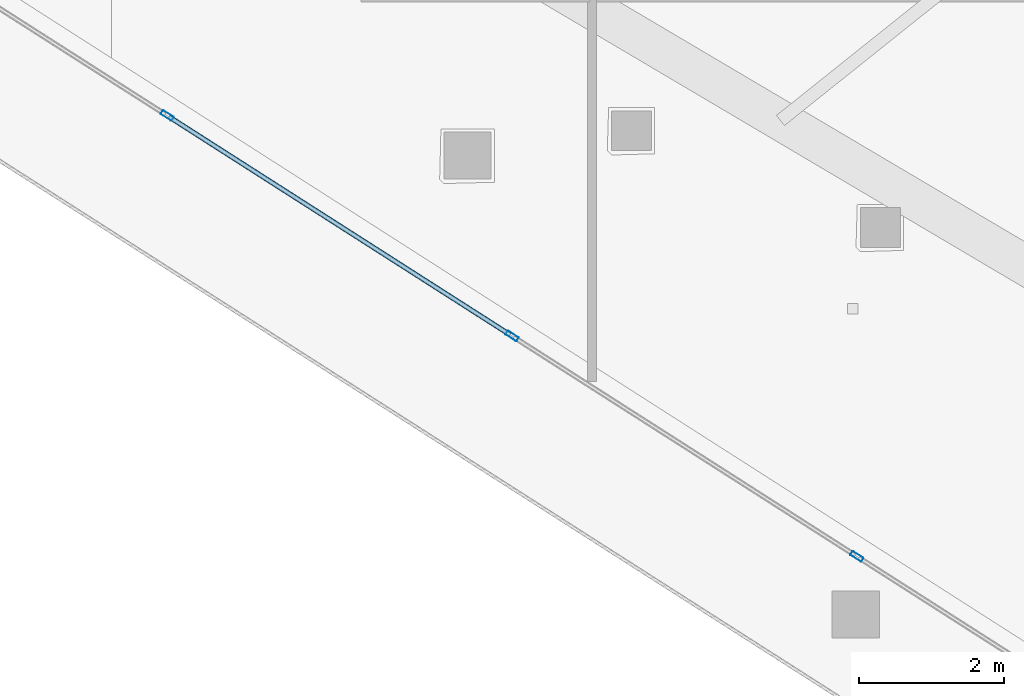
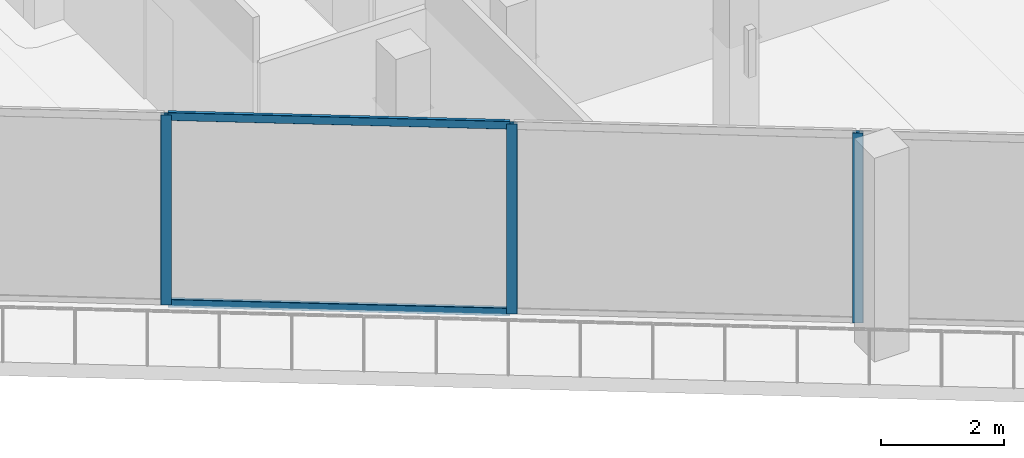
# One storey, part 3 of 36: 5 members, 1 element without a shape of its own.
"""IFC4 building model written with IfcOpenShell, lengths in metres."""

from ifc_helpers import new_model, si_unit, direction, frame, origin, origin_2d, place, context, subcontext, project, spatial, hollow_rectangle, extrude, material, layer, layer_set, material_profile, profile_set, type_object, element, aggregate, save


model = new_model("IFC4")

# Units and contexts
model_context = context("Model", 3, precision=1e-05, world=origin(), true_north=direction((0.0, 1.0)))
body_context = subcontext(model_context, "Body", "Model", "MODEL_VIEW")
ifc_project = project(units=[si_unit("LENGTHUNIT", "METRE"), si_unit("AREAUNIT", "SQUARE_METRE"), si_unit("VOLUMEUNIT", "CUBIC_METRE"), si_unit("PLANEANGLEUNIT", "RADIAN"), si_unit("MASSUNIT", "GRAM", prefix="KILO")], contexts=[model_context])

# Site, building, storey
site_placement = place(None, origin())
site = spatial("IfcSite", under=ifc_project, at=site_placement, CompositionType="ELEMENT")
building_placement = place(site_placement, origin())
building = spatial("IfcBuilding", under=site, at=building_placement, Name="Qorvath Tower", CompositionType="ELEMENT")
storey_placement = place(building_placement, frame((0.0, 0.0, 192.89990234375)))
storey = spatial("IfcBuildingStorey", under=building, at=storey_placement, Name="L44", CompositionType="ELEMENT", Elevation=192.89990234375)

# Curtain wall, members
ifc_material_1 = material(Name="Anodised aluminium and triple low-E glass", Category="aluminium")
ifc_layer = layer(ifc_material_1, 0.179931640625)
ifc_layer_set = layer_set([ifc_layer], Name="CW-SYS-3")
curtain_wall_type = type_object("IfcCurtainWallType", Name="CW-SYS-3", PredefinedType="NOTDEFINED", material=ifc_layer_set)
curtain_wall_placement = place(storey_placement, origin())
curtain_wall = element("IfcCurtainWall", 1, at=curtain_wall_placement, inside=storey, type_object=curtain_wall_type, Name="Curtain Wall CW-3 CW-T-L44-2.1", PredefinedType="NOTDEFINED")
ifc_material_2 = material(Name="Anodised aluminium 6063-T6", Category="aluminium")
ifc_material_profile_1 = material_profile(ifc_material_2, hollow_rectangle(XDim=0.06494140625, YDim=0.179931640625, WallThickness=0.00341796875, InnerFilletRadius=0.00341796875, OuterFilletRadius=0.007080078125, at=origin_2d()), Name="CWM 180x65")
ifc_profile_set_1 = profile_set([ifc_material_profile_1], Name="Anodised aluminium 6063-T6")
member_type_1 = type_object("IfcMemberType", Name="CWM-180", PredefinedType="MULLION", material=ifc_profile_set_1)
member_1_placement = place(storey_placement, frame((-40.50537109375, -12.583740234375, 0.0), z_axis=(0.0, 0.0, 1.0), x_axis=(0.538533623725, 0.842604020948, 0.0)))
member_1 = element("IfcMember", 2, at=member_1_placement, type_object=member_type_1, Name="CW-3 mullion 4", PredefinedType="MULLION", context=body_context, shape_type="SweptSolid", body=[
    extrude(hollow_rectangle(XDim=0.06494140625, YDim=0.179931640625, WallThickness=0.00341796875, InnerFilletRadius=0.00341796875, OuterFilletRadius=0.007080078125, at=origin_2d()), origin(), (0.0, 0.0, 1.0), 3.780029296875),
])
member_2_placement = place(storey_placement, frame((-35.752685546875, -15.62109375, 0.0), z_axis=(0.0, 0.0, 1.0), x_axis=(0.538533623725, 0.842604020948, 0.0)))
member_2 = element("IfcMember", 3, at=member_2_placement, type_object=member_type_1, Name="CW-3 mullion 5", PredefinedType="MULLION", context=body_context, shape_type="SweptSolid", body=[
    extrude(hollow_rectangle(XDim=0.06494140625, YDim=0.179931640625, WallThickness=0.00341796875, InnerFilletRadius=0.00341796875, OuterFilletRadius=0.007080078125, at=origin_2d()), origin(), (0.0, 0.0, 1.0), 3.780029296875),
])
member_3_placement = place(storey_placement, frame((-31.000244140625, -18.65869140625, 0.0), z_axis=(0.0, 0.0, 1.0), x_axis=(0.538533623725, 0.842604020948, 0.0)))
member_3 = element("IfcMember", 4, at=member_3_placement, type_object=member_type_1, Name="CW-3 mullion 6", PredefinedType="MULLION", context=body_context, shape_type="SweptSolid", body=[
    extrude(hollow_rectangle(XDim=0.06494140625, YDim=0.179931640625, WallThickness=0.00341796875, InnerFilletRadius=0.00341796875, OuterFilletRadius=0.007080078125, at=origin_2d()), origin(), (0.0, 0.0, 1.0), 3.780029296875),
])
ifc_material_3 = material(Name="Anodised aluminium 6063-T6", Category="aluminium")
ifc_material_profile_2 = material_profile(ifc_material_3, hollow_rectangle(XDim=0.06494140625, YDim=0.159912109375, WallThickness=0.00341796875, InnerFilletRadius=0.00341796875, OuterFilletRadius=0.007080078125, at=origin_2d()), Name="CWT 160x65")
ifc_profile_set_2 = profile_set([ifc_material_profile_2], Name="Anodised aluminium 6063-T6")
member_type_2 = type_object("IfcMemberType", Name="CWT-160", PredefinedType="USERDEFINED", material=ifc_profile_set_2)
member_4_placement = place(storey_placement, frame((-40.477783203125, -12.601318359375, 0.032470703125), z_axis=(0.842594144247, -0.538549076761, 0.0), x_axis=(0.538549076761, 0.842594144247, 0.0)))
member_4 = element("IfcMember", 5, at=member_4_placement, type_object=member_type_2, Name="CW-3 transom 4.1", ObjectType="TRANSOM", PredefinedType="USERDEFINED", context=body_context, shape_type="SweptSolid", body=[
    extrude(hollow_rectangle(XDim=0.06494140625, YDim=0.159912109375, WallThickness=0.00341796875, InnerFilletRadius=0.00341796875, OuterFilletRadius=0.007080078125, at=origin_2d()), origin(), (0.0, 0.0, 1.0), 5.574951171875),
])
member_5_placement = place(storey_placement, frame((-40.477783203125, -12.601318359375, 3.74755859375), z_axis=(0.842594144247, -0.538549076761, 0.0), x_axis=(0.538549076761, 0.842594144247, 0.0)))
member_5 = element("IfcMember", 6, at=member_5_placement, type_object=member_type_2, Name="CW-3 transom 4.2", ObjectType="TRANSOM", PredefinedType="USERDEFINED", context=body_context, shape_type="SweptSolid", body=[
    extrude(hollow_rectangle(XDim=0.06494140625, YDim=0.159912109375, WallThickness=0.00341796875, InnerFilletRadius=0.00341796875, OuterFilletRadius=0.007080078125, at=origin_2d()), origin(), (0.0, 0.0, 1.0), 5.574951171875),
])
aggregate(curtain_wall, [member_1, member_2, member_3, member_4, member_5])

save(model, "model.ifc")
